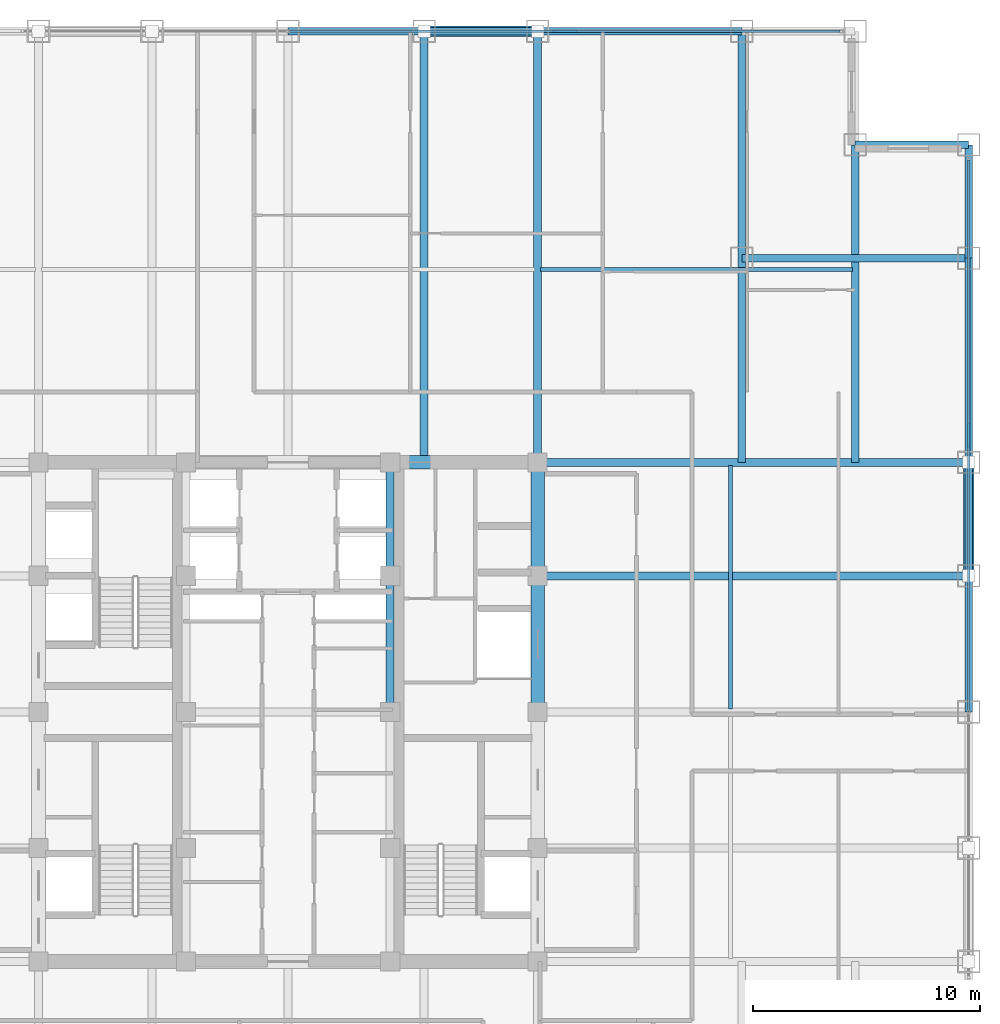
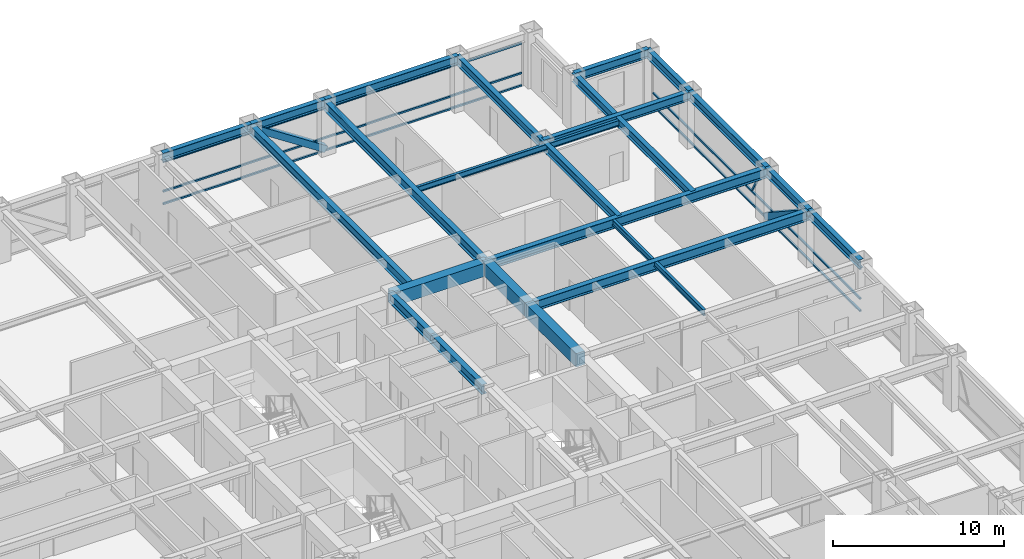
# One storey, part 17 of 25: 22 beams, 10 members, 2 elements without a shape of their own.
"""IFC4 building model written with IfcOpenShell, lengths in metres."""

from ifc_helpers import new_model, si_unit, direction, frame, origin, origin_2d, place, context, subcontext, project, spatial, rectangle, hollow_rectangle, i_section, extrude, source, transform, mapped, material, material_profile, profile_set, type_object, element, aggregate, save


model = new_model("IFC4")

# Units and contexts
model_context = context("Model", 3, precision=1e-05, world=origin(), true_north=direction((0.0, 1.0)))
body_context = subcontext(model_context, "Body", "Model", "MODEL_VIEW")
ifc_project = project(units=[si_unit("LENGTHUNIT", "METRE"), si_unit("AREAUNIT", "SQUARE_METRE"), si_unit("VOLUMEUNIT", "CUBIC_METRE"), si_unit("PLANEANGLEUNIT", "RADIAN"), si_unit("MASSUNIT", "GRAM", prefix="KILO")], contexts=[model_context])

# Site, building, storey
site_placement = place(None, origin())
site = spatial("IfcSite", under=ifc_project, at=site_placement, CompositionType="ELEMENT")
building_placement = place(site_placement, origin())
building = spatial("IfcBuilding", under=site, at=building_placement, Name="Khorayat Bourse Tower", CompositionType="ELEMENT")
storey_placement = place(building_placement, frame((0.0, 0.0, 247.10009765625)))
storey = spatial("IfcBuildingStorey", under=building, at=storey_placement, Name="L58", CompositionType="ELEMENT", Elevation=247.10009765625)

# Beams
ifc_material_1 = material(Name="Steel ASTM A992 Grade 50", Category="steel")
ifc_material_profile_1 = material_profile(ifc_material_1, i_section(OverallWidth=0.35498046875, OverallDepth=0.695068359375, WebThickness=0.015380859375, FlangeThickness=0.02490234375, FilletRadius=0.01806640625, at=origin_2d()), Name="W690X217")
ifc_profile_set_1 = profile_set([ifc_material_profile_1], Name="Steel ASTM A992 Grade 50")
beam_type_1 = type_object("IfcBeamType", Name="BM-GIRD-690", PredefinedType="BEAM", material=ifc_profile_set_1)
shared_shape_1 = source(origin(), body_context, "Body", "SweptSolid", [
    extrude(i_section(OverallWidth=0.35498046875, OverallDepth=0.695068359375, WebThickness=0.015380859375, FlangeThickness=0.02490234375, FilletRadius=0.01806640625, at=origin_2d()), origin(), (0.0, 0.0, 1.0), 5.0),
])
beam_1_placement = place(storey_placement, frame((4.5, 6.0, 3.432373046875), z_axis=(0.0, 1.0, 0.0), x_axis=(-1.0, 0.0, 0.0)))
element("IfcBeam", 1, at=beam_1_placement, inside=storey, type_object=beam_type_1, Name="L58 BM-GIRD-690 BM-L58-CRX-12", PredefinedType="BEAM", context=body_context, shape_type="MappedRepresentation", body=[
    mapped(shared_shape_1, transform((0.0, 0.0, 0.0), scale=1.0)),
])
shared_shape_2 = source(origin(), body_context, "Body", "SweptSolid", [
    extrude(i_section(OverallWidth=0.35498046875, OverallDepth=0.695068359375, WebThickness=0.015380859375, FlangeThickness=0.02490234375, FilletRadius=0.01806640625, at=origin_2d()), origin(), (0.0, 0.0, 1.0), 6.0),
])
beam_2_placement = place(storey_placement, frame((4.5, 0.0, 3.432373046875), z_axis=(0.0, 1.0, 0.0), x_axis=(-1.0, 0.0, 0.0)))
element("IfcBeam", 2, at=beam_2_placement, inside=storey, type_object=beam_type_1, Name="L58 BM-GIRD-690 BM-L58-CRX-11", PredefinedType="BEAM", context=body_context, shape_type="MappedRepresentation", body=[
    mapped(shared_shape_2, transform((0.0, 0.0, 0.0), scale=1.0)),
])
ifc_material_profile_2 = material_profile(ifc_material_1, i_section(OverallWidth=0.324951171875, OverallDepth=0.615966796875, WebThickness=0.013916015625, FlangeThickness=0.021484375, FilletRadius=0.01611328125, at=origin_2d()), Name="W610X174")
ifc_profile_set_2 = profile_set([ifc_material_profile_2], Name="Steel ASTM A992 Grade 50")
beam_type_2 = type_object("IfcBeamType", Name="BM-GIRD-610", PredefinedType="BEAM", material=ifc_profile_set_2)
shared_shape_3 = source(origin(), body_context, "Body", "SweptSolid", [
    extrude(i_section(OverallWidth=0.324951171875, OverallDepth=0.615966796875, WebThickness=0.013916015625, FlangeThickness=0.021484375, FilletRadius=0.01611328125, at=origin_2d()), origin(), (0.0, 0.0, 1.0), 19.0),
])
beam_3_placement = place(storey_placement, frame((20.0, 11.0, 3.471923828125), z_axis=(0.0, 1.0, 0.0), x_axis=(-1.0, 0.0, 0.0)))
element("IfcBeam", 3, at=beam_3_placement, inside=storey, type_object=beam_type_2, Name="L58 BM-GIRD-610 BM-L58-CNRY-087", PredefinedType="BEAM", context=body_context, shape_type="MappedRepresentation", body=[
    mapped(shared_shape_3, transform((0.0, 0.0, 0.0), scale=1.0)),
])
shared_shape_4 = source(origin(), body_context, "Body", "SweptSolid", [
    extrude(i_section(OverallWidth=0.324951171875, OverallDepth=0.615966796875, WebThickness=0.013916015625, FlangeThickness=0.021484375, FilletRadius=0.01611328125, at=origin_2d()), origin(), (0.0, 0.0, 1.0), 10.0),
])
beam_4_placement = place(storey_placement, frame((20.0, 20.0, 3.471923828125), z_axis=(1.0, 0.0, 0.0), x_axis=(0.0, 1.0, 0.0)))
element("IfcBeam", 4, at=beam_4_placement, inside=storey, type_object=beam_type_2, Name="L58 BM-GIRD-610 BM-L58-CNRX-094", PredefinedType="BEAM", context=body_context, shape_type="MappedRepresentation", body=[
    mapped(shared_shape_4, transform((0.0, 0.0, 0.0), scale=1.0)),
])
ifc_material_profile_3 = material_profile(ifc_material_1, i_section(OverallWidth=0.180908203125, OverallDepth=0.4169921875, WebThickness=0.010986328125, FlangeThickness=0.018310546875, FilletRadius=0.011962890625, at=origin_2d()), Name="W410X85")
ifc_profile_set_3 = profile_set([ifc_material_profile_3], Name="Steel ASTM A992 Grade 50")
beam_type_3 = type_object("IfcBeamType", Name="BM-JOIST-410", PredefinedType="JOIST", material=ifc_profile_set_3)
shared_shape_5 = source(origin(), body_context, "Body", "SweptSolid", [
    extrude(i_section(OverallWidth=0.180908203125, OverallDepth=0.4169921875, WebThickness=0.010986328125, FlangeThickness=0.018310546875, FilletRadius=0.011962890625, at=origin_2d()), origin(), (0.0, 0.0, 1.0), 10.740234375),
])
beam_5_placement = place(storey_placement, frame((19.5, 0.1298828125, 3.5712890625), z_axis=(0.0, 1.0, 0.0), x_axis=(-1.0, 0.0, 0.0)))
element("IfcBeam", 5, at=beam_5_placement, inside=storey, type_object=beam_type_3, Name="L58 BM-JOIST-410 BM-L58-JSTY-105", PredefinedType="JOIST", context=body_context, shape_type="MappedRepresentation", body=[
    mapped(shared_shape_5, transform((0.0, 0.0, 0.0), scale=1.0)),
])
ifc_material_profile_4 = material_profile(ifc_material_1, i_section(OverallWidth=0.324951171875, OverallDepth=0.615966796875, WebThickness=0.013916015625, FlangeThickness=0.021484375, FilletRadius=0.01611328125, at=origin_2d()), Name="W610X174")
ifc_profile_set_4 = profile_set([ifc_material_profile_4], Name="Steel ASTM A992 Grade 50")
beam_type_4 = type_object("IfcBeamType", Name="BM-SPAN-610", PredefinedType="SPANDREL", material=ifc_profile_set_4)
shared_shape_6 = source(origin(), body_context, "Body", "SweptSolid", [
    extrude(i_section(OverallWidth=0.324951171875, OverallDepth=0.615966796875, WebThickness=0.013916015625, FlangeThickness=0.021484375, FilletRadius=0.01611328125, at=origin_2d()), origin(), (0.0, 0.0, 1.0), 9.0),
])
for number, where, z_axis, x_axis, name in (
    (6, (30.0, 11.0, 3.471923828125), (0.0, 1.0, 0.0), (-1.0, 0.0, 0.0), "L58 BM-SPAN-610 BM-L58-SPN-040"),
    (7, (11.0, 30.0, 3.471923828125), (1.0, 0.0, 0.0), (0.0, 1.0, 0.0), "L58 BM-SPAN-610 BM-L58-SPN-045"),
):
    element("IfcBeam", number, at=place(storey_placement, frame(where, z_axis=z_axis, x_axis=x_axis)), inside=storey, type_object=beam_type_4, Name=name, PredefinedType="SPANDREL", context=body_context, shape_type="MappedRepresentation", body=[
        mapped(shared_shape_6, transform((0.0, 0.0, 0.0), scale=1.0)),
    ])
shared_shape_7 = source(origin(), body_context, "Body", "SweptSolid", [
    extrude(i_section(OverallWidth=0.324951171875, OverallDepth=0.615966796875, WebThickness=0.013916015625, FlangeThickness=0.021484375, FilletRadius=0.01611328125, at=origin_2d()), origin(), (0.0, 0.0, 1.0), 5.0),
])
for number, where, z_axis, x_axis, name in (
    (8, (30.0, 6.0, 3.471923828125), (0.0, 1.0, 0.0), (-1.0, 0.0, 0.0), "L58 BM-SPAN-610 BM-L58-SPN-039"),
    (9, (30.0, 20.0, 3.471923828125), (0.0, 1.0, 0.0), (-1.0, 0.0, 0.0), "L58 BM-SPAN-610 BM-L58-SPN-041"),
    (10, (25.0, 25.0, 3.471923828125), (1.0, 0.0, 0.0), (0.0, 1.0, 0.0), "L58 BM-SPAN-610 BM-L58-SPN-042"),
    (11, (6.0, 30.0, 3.471923828125), (1.0, 0.0, 0.0), (0.0, 1.0, 0.0), "L58 BM-SPAN-610 BM-L58-SPN-046"),
):
    element("IfcBeam", number, at=place(storey_placement, frame(where, z_axis=z_axis, x_axis=x_axis)), inside=storey, type_object=beam_type_4, Name=name, PredefinedType="SPANDREL", context=body_context, shape_type="MappedRepresentation", body=[
        mapped(shared_shape_7, transform((0.0, 0.0, 0.0), scale=1.0)),
    ])
shared_shape_8 = source(origin(), body_context, "Body", "SweptSolid", [
    extrude(i_section(OverallWidth=0.324951171875, OverallDepth=0.615966796875, WebThickness=0.013916015625, FlangeThickness=0.021484375, FilletRadius=0.01611328125, at=origin_2d()), origin(), (0.0, 0.0, 1.0), 6.0),
])
for number, where, z_axis, x_axis, name in (
    (12, (30.0, 0.0, 3.471923828125), (0.0, 1.0, 0.0), (-1.0, 0.0, 0.0), "L58 BM-SPAN-610 BM-L58-SPN-038"),
    (13, (0.0, 30.0, 3.471923828125), (1.0, 0.0, 0.0), (0.0, 1.0, 0.0), "L58 BM-SPAN-610 BM-L58-SPN-047"),
):
    element("IfcBeam", number, at=place(storey_placement, frame(where, z_axis=z_axis, x_axis=x_axis)), inside=storey, type_object=beam_type_4, Name=name, PredefinedType="SPANDREL", context=body_context, shape_type="MappedRepresentation", body=[
        mapped(shared_shape_8, transform((0.0, 0.0, 0.0), scale=1.0)),
    ])
ifc_material_2 = material(Name="Concrete C60/75", Category="concrete")
ifc_material_profile_5 = material_profile(ifc_material_2, rectangle(XDim=0.60009765625, YDim=0.949951171875, at=origin_2d()), Name="RC 600x950")
ifc_profile_set_5 = profile_set([ifc_material_profile_5], Name="Concrete C60/75")
beam_type_5 = type_object("IfcBeamType", Name="BM-COUP-950", PredefinedType="BEAM", material=ifc_profile_set_5)
shared_shape_9 = source(origin(), body_context, "Body", "SweptSolid", [
    extrude(rectangle(XDim=0.60009765625, YDim=0.949951171875, at=origin_2d()), origin(), (0.0, 0.0, 1.0), 5.0),
])
beam_6_placement = place(storey_placement, frame((11.0, 6.0, 3.304931640625), z_axis=(0.0, 1.0, 0.0), x_axis=(-1.0, 0.0, 0.0)))
element("IfcBeam", 14, at=beam_6_placement, inside=storey, type_object=beam_type_5, Name="L58 BM-COUP-950 BM-L58-CRX-16", PredefinedType="BEAM", context=body_context, shape_type="MappedRepresentation", body=[
    mapped(shared_shape_9, transform((0.0, 0.0, 0.0), scale=1.0)),
])
shared_shape_10 = source(origin(), body_context, "Body", "SweptSolid", [
    extrude(rectangle(XDim=0.60009765625, YDim=0.949951171875, at=origin_2d()), origin(), (0.0, 0.0, 1.0), 6.0),
])
beam_7_placement = place(storey_placement, frame((11.0, 0.0, 3.304931640625), z_axis=(0.0, 1.0, 0.0), x_axis=(-1.0, 0.0, 0.0)))
element("IfcBeam", 15, at=beam_7_placement, inside=storey, type_object=beam_type_5, Name="L58 BM-COUP-950 BM-L58-CRX-15", PredefinedType="BEAM", context=body_context, shape_type="MappedRepresentation", body=[
    mapped(shared_shape_10, transform((0.0, 0.0, 0.0), scale=1.0)),
])
shared_shape_11 = source(origin(), body_context, "Body", "SweptSolid", [
    extrude(rectangle(XDim=0.60009765625, YDim=0.949951171875, at=origin_2d()), origin(), (0.0, 0.0, 1.0), 6.5),
])
beam_8_placement = place(storey_placement, frame((4.5, 11.0, 3.304931640625), z_axis=(1.0, 0.0, 0.0), x_axis=(0.0, 1.0, 0.0)))
element("IfcBeam", 16, at=beam_8_placement, inside=storey, type_object=beam_type_5, Name="L58 BM-COUP-950 BM-L58-CRY-22", PredefinedType="BEAM", context=body_context, shape_type="MappedRepresentation", body=[
    mapped(shared_shape_11, transform((0.0, 0.0, 0.0), scale=1.0)),
])
shared_shape_12 = source(origin(), body_context, "Body", "SweptSolid", [
    extrude(i_section(OverallWidth=0.35498046875, OverallDepth=0.695068359375, WebThickness=0.015380859375, FlangeThickness=0.02490234375, FilletRadius=0.01806640625, at=origin_2d()), origin(), (0.0, 0.0, 1.0), 19.0),
])
for number, where, z_axis, x_axis, name in (
    (17, (6.0, 11.0, 3.432373046875), (0.0, 1.0, 0.0), (-1.0, 0.0, 0.0), "L58 BM-GIRD-690 BM-L58-RADY-070"),
    (18, (11.0, 11.0, 3.432373046875), (0.0, 1.0, 0.0), (-1.0, 0.0, 0.0), "L58 BM-GIRD-690 BM-L58-RADY-072"),
    (19, (11.0, 6.0, 3.432373046875), (1.0, 0.0, 0.0), (0.0, 1.0, 0.0), "L58 BM-GIRD-690 BM-L58-RADX-080"),
    (20, (11.0, 11.0, 3.432373046875), (1.0, 0.0, 0.0), (0.0, 1.0, 0.0), "L58 BM-GIRD-690 BM-L58-RADX-082"),
):
    element("IfcBeam", number, at=place(storey_placement, frame(where, z_axis=z_axis, x_axis=x_axis)), inside=storey, type_object=beam_type_1, Name=name, PredefinedType="BEAM", context=body_context, shape_type="MappedRepresentation", body=[
        mapped(shared_shape_12, transform((0.0, 0.0, 0.0), scale=1.0)),
    ])
shared_shape_13 = source(origin(), body_context, "Body", "SweptSolid", [
    extrude(i_section(OverallWidth=0.324951171875, OverallDepth=0.615966796875, WebThickness=0.013916015625, FlangeThickness=0.021484375, FilletRadius=0.01611328125, at=origin_2d()), origin(), (0.0, 0.0, 1.0), 14.0),
])
beam_9_placement = place(storey_placement, frame((25.0, 11.0, 3.471923828125), z_axis=(0.0, 1.0, 0.0), x_axis=(-1.0, 0.0, 0.0)))
element("IfcBeam", 21, at=beam_9_placement, inside=storey, type_object=beam_type_2, Name="L58 BM-GIRD-610 BM-L58-CNRY-091", PredefinedType="BEAM", context=body_context, shape_type="MappedRepresentation", body=[
    mapped(shared_shape_13, transform((0.0, 0.0, 0.0), scale=1.0)),
])
shared_shape_14 = source(origin(), body_context, "Body", "SweptSolid", [
    extrude(i_section(OverallWidth=0.180908203125, OverallDepth=0.4169921875, WebThickness=0.010986328125, FlangeThickness=0.018310546875, FilletRadius=0.011962890625, at=origin_2d()), origin(), (0.0, 0.0, 1.0), 13.740234375),
])
beam_10_placement = place(storey_placement, frame((11.1298828125, 19.5, 3.5712890625), z_axis=(1.0, 0.0, 0.0), x_axis=(0.0, 1.0, 0.0)))
element("IfcBeam", 22, at=beam_10_placement, inside=storey, type_object=beam_type_3, Name="L58 BM-JOIST-410 BM-L58-JSTX-101", PredefinedType="JOIST", context=body_context, shape_type="MappedRepresentation", body=[
    mapped(shared_shape_14, transform((0.0, 0.0, 0.0), scale=1.0)),
])

# Members
ifc_material_3 = material(Name="Steel EN 10025-4 S460M", Category="steel")
ifc_material_profile_6 = material_profile(ifc_material_3, hollow_rectangle(XDim=0.449951171875, YDim=0.449951171875, WallThickness=0.02490234375, at=origin_2d()), Name="HSS 450x450x25")
ifc_profile_set_6 = profile_set([ifc_material_profile_6], Name="Steel EN 10025-4 S460M")
member_type_1 = type_object("IfcMemberType", Name="MBR-TUBE-450", PredefinedType="BRACE", material=ifc_profile_set_6)
shared_shape_15 = source(origin(), body_context, "Body", "SweptSolid", [
    extrude(hollow_rectangle(XDim=0.449951171875, YDim=0.449951171875, WallThickness=0.02490234375, at=origin_2d()), origin(), (0.0, 0.0, 1.0), 5.979736328125),
])
for number, where, z_axis, x_axis, name in (
    (23, (6.0, 30.0, 3.52978515625), (0.836160261256, 0.0, -0.548485202623), (0.0, 1.0, 0.0), "L58 Perimeter Tube Brace 04"),
    (24, (30.0, 6.0, 3.52978515625), (0.0, 0.836160261256, -0.548485202623), (-1.0, 0.0, 0.0), "L58 Perimeter Tube Brace 08"),
):
    element("IfcMember", number, at=place(storey_placement, frame(where, z_axis=z_axis, x_axis=x_axis)), inside=storey, type_object=member_type_1, Name=name, PredefinedType="BRACE", context=body_context, shape_type="MappedRepresentation", body=[
        mapped(shared_shape_15, transform((0.0, 0.0, 0.0), scale=1.0)),
    ])

# Curtain wall, member
ifc_material_4 = material(Name="Aluminium EN AW-6063 T6", Category="aluminium")
curtain_wall_type = type_object("IfcCurtainWallType", Name="CW-SYS-03", PredefinedType="NOTDEFINED", material=ifc_material_4)
curtain_wall_1_placement = place(storey_placement, origin())
curtain_wall_1 = element("IfcCurtainWall", 25, at=curtain_wall_1_placement, inside=storey, type_object=curtain_wall_type, Name="L58 Curtain Wall CW-L58-N1", PredefinedType="NOTDEFINED")
ifc_material_profile_7 = material_profile(ifc_material_4, hollow_rectangle(XDim=0.1201171875, YDim=0.1201171875, WallThickness=0.0048828125, at=origin_2d()), Name="ALU 120x120x5")
ifc_profile_set_7 = profile_set([ifc_material_profile_7], Name="Aluminium EN AW-6063 T6")
member_type_2 = type_object("IfcMemberType", Name="CWM-DIAG-120", PredefinedType="MULLION", material=ifc_profile_set_7)
shared_shape_16 = source(origin(), body_context, "Body", "SweptSolid", [
    extrude(hollow_rectangle(XDim=0.1201171875, YDim=0.1201171875, WallThickness=0.0048828125, at=origin_2d()), origin(), (0.0, 0.0, 1.0), 2.079345703125),
])
member_1_placement = place(storey_placement, frame((12.67919921875, 30.0, 1.08984375), z_axis=(-0.465760949701, 0.0, 0.884910581773), x_axis=(0.0, -1.0, 0.0)))
member_1 = element("IfcMember", 26, at=member_1_placement, type_object=member_type_2, Name="CW-L58-N1 Faceted Diagonal Mullion 2", PredefinedType="MULLION", context=body_context, shape_type="MappedRepresentation", body=[
    mapped(shared_shape_16, transform((0.0, 0.0, 0.0), scale=1.0)),
])

curtain_wall_2_placement = place(storey_placement, origin())
curtain_wall_2 = element("IfcCurtainWall", 27, at=curtain_wall_2_placement, inside=storey, type_object=curtain_wall_type, Name="L58 Curtain Wall CW-L58-E1", PredefinedType="NOTDEFINED")
member_2_placement = place(storey_placement, frame((30.0, 12.67919921875, 1.08984375), z_axis=(0.0, -0.465760949701, 0.884910581773), x_axis=(1.0, 0.0, 0.0)))
member_2 = element("IfcMember", 28, at=member_2_placement, type_object=member_type_2, Name="CW-L58-E1 Faceted Diagonal Mullion 2", PredefinedType="MULLION", context=body_context, shape_type="MappedRepresentation", body=[
    mapped(shared_shape_16, transform((0.0, 0.0, 0.0), scale=1.0)),
])

# Member
ifc_material_profile_8 = material_profile(ifc_material_4, hollow_rectangle(XDim=0.1201171875, YDim=0.1201171875, WallThickness=0.0048828125, at=origin_2d()), Name="ALU 120x120x5")
ifc_profile_set_8 = profile_set([ifc_material_profile_8], Name="Aluminium EN AW-6063 T6")
member_type_3 = type_object("IfcMemberType", Name="CWT-HORZ-120", PredefinedType="USERDEFINED", material=ifc_profile_set_8)
shared_shape_17 = source(origin(), body_context, "Body", "SweptSolid", [
    extrude(hollow_rectangle(XDim=0.1201171875, YDim=0.1201171875, WallThickness=0.0048828125, at=origin_2d()), origin(), (0.0, 0.0, 1.0), 24.27001953125),
])
member_3_placement = place(storey_placement, frame((0.06005859375, 30.0, 0.059814453125), z_axis=(1.0, 0.0, 0.0), x_axis=(0.0, 1.0, 0.0)))
member_3 = element("IfcMember", 29, at=member_3_placement, type_object=member_type_3, Name="CW-L58-N1 Horizontal Transom 2-1", ObjectType="TRANSOM", PredefinedType="USERDEFINED", context=body_context, shape_type="MappedRepresentation", body=[
    mapped(shared_shape_17, transform((0.0, 0.0, 0.0), scale=1.0)),
])

member_4_placement = place(storey_placement, frame((0.06005859375, 30.0, 0.949951171875), z_axis=(1.0, 0.0, 0.0), x_axis=(0.0, 1.0, 0.0)))
member_4 = element("IfcMember", 30, at=member_4_placement, type_object=member_type_3, Name="CW-L58-N1 Horizontal Transom 2-2", ObjectType="TRANSOM", PredefinedType="USERDEFINED", context=body_context, shape_type="MappedRepresentation", body=[
    mapped(shared_shape_17, transform((0.0, 0.0, 0.0), scale=1.0)),
])

member_5_placement = place(storey_placement, frame((0.06005859375, 30.0, 3.06982421875), z_axis=(1.0, 0.0, 0.0), x_axis=(0.0, 1.0, 0.0)))
member_5 = element("IfcMember", 31, at=member_5_placement, type_object=member_type_3, Name="CW-L58-N1 Horizontal Transom 2-3", ObjectType="TRANSOM", PredefinedType="USERDEFINED", context=body_context, shape_type="MappedRepresentation", body=[
    mapped(shared_shape_17, transform((0.0, 0.0, 0.0), scale=1.0)),
])

aggregate(curtain_wall_1, [member_3, member_4, member_5, member_1])

member_6_placement = place(storey_placement, frame((30.0, 0.06005859375, 0.059814453125), z_axis=(0.0, 1.0, 0.0), x_axis=(-1.0, 0.0, 0.0)))
member_6 = element("IfcMember", 32, at=member_6_placement, type_object=member_type_3, Name="CW-L58-E1 Horizontal Transom 2-1", ObjectType="TRANSOM", PredefinedType="USERDEFINED", context=body_context, shape_type="MappedRepresentation", body=[
    mapped(shared_shape_17, transform((0.0, 0.0, 0.0), scale=1.0)),
])

member_7_placement = place(storey_placement, frame((30.0, 0.06005859375, 0.949951171875), z_axis=(0.0, 1.0, 0.0), x_axis=(-1.0, 0.0, 0.0)))
member_7 = element("IfcMember", 33, at=member_7_placement, type_object=member_type_3, Name="CW-L58-E1 Horizontal Transom 2-2", ObjectType="TRANSOM", PredefinedType="USERDEFINED", context=body_context, shape_type="MappedRepresentation", body=[
    mapped(shared_shape_17, transform((0.0, 0.0, 0.0), scale=1.0)),
])

member_8_placement = place(storey_placement, frame((30.0, 0.06005859375, 3.06982421875), z_axis=(0.0, 1.0, 0.0), x_axis=(-1.0, 0.0, 0.0)))
member_8 = element("IfcMember", 34, at=member_8_placement, type_object=member_type_3, Name="CW-L58-E1 Horizontal Transom 2-3", ObjectType="TRANSOM", PredefinedType="USERDEFINED", context=body_context, shape_type="MappedRepresentation", body=[
    mapped(shared_shape_17, transform((0.0, 0.0, 0.0), scale=1.0)),
])

aggregate(curtain_wall_2, [member_6, member_7, member_8, member_2])

save(model, "model.ifc")
